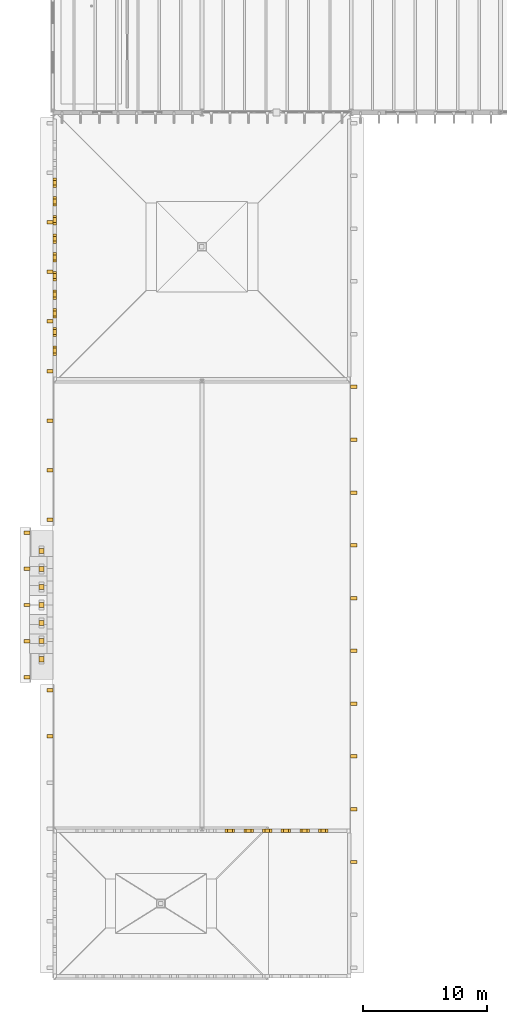
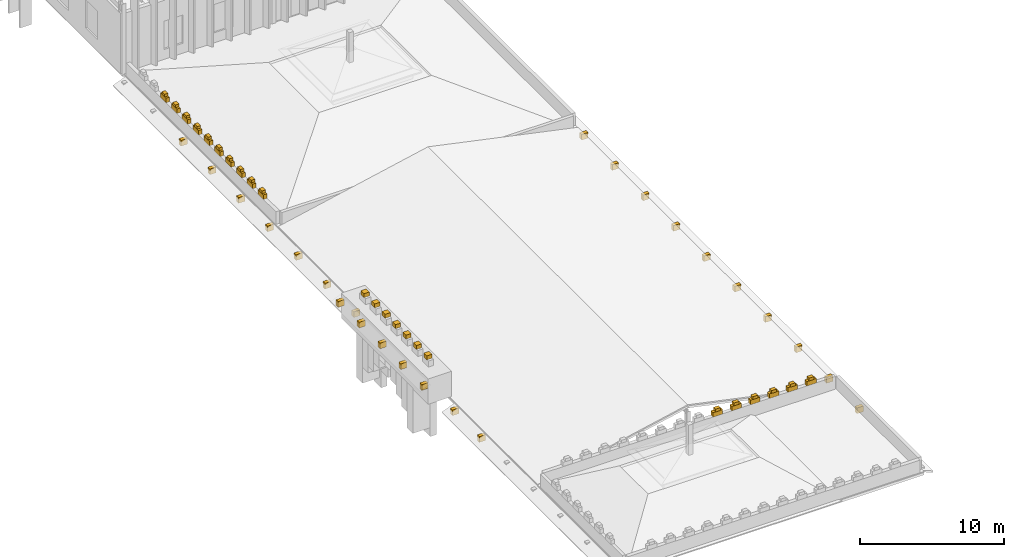
# One storey, part 80 of 83: 63 coverings.
"""IFC4 building model written with IfcOpenShell, lengths in metres."""

from ifc_helpers import new_model, si_unit, direction, frame, origin, place, context, subcontext, project, spatial, polyline, outline, extrude, material, layer, layer_set, type_object, element, save


model = new_model("IFC4")

# Units and contexts
model_context = context("Model", 3, precision=1e-05, world=origin(), true_north=direction((0.0, 1.0)))
body_context = subcontext(model_context, "Body", "Model", "MODEL_VIEW")
ifc_project = project(units=[si_unit("LENGTHUNIT", "METRE"), si_unit("AREAUNIT", "SQUARE_METRE"), si_unit("VOLUMEUNIT", "CUBIC_METRE"), si_unit("PLANEANGLEUNIT", "RADIAN"), si_unit("MASSUNIT", "GRAM", prefix="KILO")], contexts=[model_context])

# Site, building, storey
site_placement = place(None, origin())
site = spatial("IfcSite", under=ifc_project, at=site_placement, CompositionType="ELEMENT")
building_placement = place(site_placement, origin())
building = spatial("IfcBuilding", under=site, at=building_placement, Name="Zlatogorsky Bluff Art Gallery", CompositionType="ELEMENT")
storey_placement = place(building_placement, frame((0.0, 0.0, 10.800048828125)))
storey = spatial("IfcBuildingStorey", under=building, at=storey_placement, Name="L02", CompositionType="ELEMENT", Elevation=10.800048828125)

# Coverings
ifc_material = material(Name="Honed Red Agra-Tone Quartzitic Sandstone", Category="masonry")
ifc_layer = layer(ifc_material, 0.1201171875)
ifc_layer_set = layer_set([ifc_layer], Name="Carved Sandstone Cladding CLD-02")
covering_type = type_object("IfcCoveringType", Name="Carved Sandstone Cladding CLD-02", PredefinedType="CLADDING", material=ifc_layer_set)
covering_1_placement = place(storey_placement, frame((0.0, 0.0, 1.56005859375)))
element("IfcCovering", 1, at=covering_1_placement, inside=storey, type_object=covering_type, Name="Chhajja carved stone corbel PISHTAQ-SW-AUD-CHJ.1", PredefinedType="CLADDING", context=body_context, shape_type="SweptSolid", body=[
    extrude(outline(polyline([(-2.31005859375, 38.4599609375), (-2.31005859375, 38.739990234375), (-1.81005859375, 38.739990234375), (-1.81005859375, 38.4599609375), (-2.31005859375, 38.4599609375)])), origin(), (0.0, 0.0, 1.0), 0.47998046875),
])
covering_2_placement = place(storey_placement, frame((0.0, 0.0, 1.56005859375)))
element("IfcCovering", 2, at=covering_2_placement, inside=storey, type_object=covering_type, Name="Chhajja carved stone corbel PISHTAQ-SW-AUD-CHJ.2", PredefinedType="CLADDING", context=body_context, shape_type="SweptSolid", body=[
    extrude(outline(polyline([(-2.31005859375, 41.360107421875), (-2.31005859375, 41.639892578125), (-1.81005859375, 41.639892578125), (-1.81005859375, 41.360107421875), (-2.31005859375, 41.360107421875)])), origin(), (0.0, 0.0, 1.0), 0.47998046875),
])
covering_3_placement = place(storey_placement, frame((0.0, 0.0, 1.56005859375)))
element("IfcCovering", 3, at=covering_3_placement, inside=storey, type_object=covering_type, Name="Chhajja carved stone corbel PISHTAQ-SW-AUD-CHJ.3", PredefinedType="CLADDING", context=body_context, shape_type="SweptSolid", body=[
    extrude(outline(polyline([(-2.31005859375, 44.260009765625), (-2.31005859375, 44.5400390625), (-1.81005859375, 44.5400390625), (-1.81005859375, 44.260009765625), (-2.31005859375, 44.260009765625)])), origin(), (0.0, 0.0, 1.0), 0.47998046875),
])
covering_4_placement = place(storey_placement, frame((0.0, 0.0, 1.56005859375)))
element("IfcCovering", 4, at=covering_4_placement, inside=storey, type_object=covering_type, Name="Chhajja carved stone corbel PISHTAQ-SW-AUD-CHJ.4", PredefinedType="CLADDING", context=body_context, shape_type="SweptSolid", body=[
    extrude(outline(polyline([(-2.31005859375, 47.159912109375), (-2.31005859375, 47.43994140625), (-1.81005859375, 47.43994140625), (-1.81005859375, 47.159912109375), (-2.31005859375, 47.159912109375)])), origin(), (0.0, 0.0, 1.0), 0.47998046875),
])
covering_5_placement = place(storey_placement, frame((0.0, 0.0, 1.56005859375)))
element("IfcCovering", 5, at=covering_5_placement, inside=storey, type_object=covering_type, Name="Chhajja carved stone corbel PISHTAQ-SW-AUD-CHJ.5", PredefinedType="CLADDING", context=body_context, shape_type="SweptSolid", body=[
    extrude(outline(polyline([(-2.31005859375, 50.06005859375), (-2.31005859375, 50.340087890625), (-1.81005859375, 50.340087890625), (-1.81005859375, 50.06005859375), (-2.31005859375, 50.06005859375)])), origin(), (0.0, 0.0, 1.0), 0.47998046875),
])
covering_6_placement = place(storey_placement, frame((0.0, 0.0, 2.8837890625)))
element("IfcCovering", 6, at=covering_6_placement, inside=storey, type_object=covering_type, Name="Kangura pointed merlon finial PISHTAQ-SW-AUD.1", PredefinedType="CLADDING", context=body_context, shape_type="SweptSolid", body=[
    extrude(outline(polyline([(-1.114990234375, 39.8369140625), (-1.114990234375, 40.26318359375), (-0.695068359375, 40.26318359375), (-0.695068359375, 39.8369140625), (-1.114990234375, 39.8369140625)])), origin(), (0.0, 0.0, 1.0), 0.336181640625),
])
covering_7_placement = place(storey_placement, frame((0.0, 0.0, 2.8837890625)))
element("IfcCovering", 7, at=covering_7_placement, inside=storey, type_object=covering_type, Name="Kangura pointed merlon finial PISHTAQ-SW-AUD.2", PredefinedType="CLADDING", context=body_context, shape_type="SweptSolid", body=[
    extrude(outline(polyline([(-1.114990234375, 41.286865234375), (-1.114990234375, 41.713134765625), (-0.695068359375, 41.713134765625), (-0.695068359375, 41.286865234375), (-1.114990234375, 41.286865234375)])), origin(), (0.0, 0.0, 1.0), 0.336181640625),
])
covering_8_placement = place(storey_placement, frame((0.0, 0.0, 2.8837890625)))
element("IfcCovering", 8, at=covering_8_placement, inside=storey, type_object=covering_type, Name="Kangura pointed merlon finial PISHTAQ-SW-AUD.3", PredefinedType="CLADDING", context=body_context, shape_type="SweptSolid", body=[
    extrude(outline(polyline([(-1.114990234375, 42.73681640625), (-1.114990234375, 43.1630859375), (-0.695068359375, 43.1630859375), (-0.695068359375, 42.73681640625), (-1.114990234375, 42.73681640625)])), origin(), (0.0, 0.0, 1.0), 0.336181640625),
])
covering_9_placement = place(storey_placement, frame((0.0, 0.0, 2.8837890625)))
element("IfcCovering", 9, at=covering_9_placement, inside=storey, type_object=covering_type, Name="Kangura pointed merlon finial PISHTAQ-SW-AUD.4", PredefinedType="CLADDING", context=body_context, shape_type="SweptSolid", body=[
    extrude(outline(polyline([(-1.114990234375, 44.186767578125), (-1.114990234375, 44.61328125), (-0.695068359375, 44.61328125), (-0.695068359375, 44.186767578125), (-1.114990234375, 44.186767578125)])), origin(), (0.0, 0.0, 1.0), 0.336181640625),
])
covering_10_placement = place(storey_placement, frame((0.0, 0.0, 2.8837890625)))
element("IfcCovering", 10, at=covering_10_placement, inside=storey, type_object=covering_type, Name="Kangura pointed merlon finial PISHTAQ-SW-AUD.5", PredefinedType="CLADDING", context=body_context, shape_type="SweptSolid", body=[
    extrude(outline(polyline([(-1.114990234375, 45.63671875), (-1.114990234375, 46.063232421875), (-0.695068359375, 46.063232421875), (-0.695068359375, 45.63671875), (-1.114990234375, 45.63671875)])), origin(), (0.0, 0.0, 1.0), 0.336181640625),
])
covering_11_placement = place(storey_placement, frame((0.0, 0.0, 2.8837890625)))
element("IfcCovering", 11, at=covering_11_placement, inside=storey, type_object=covering_type, Name="Kangura pointed merlon finial PISHTAQ-SW-AUD.6", PredefinedType="CLADDING", context=body_context, shape_type="SweptSolid", body=[
    extrude(outline(polyline([(-1.114990234375, 47.0869140625), (-1.114990234375, 47.51318359375), (-0.695068359375, 47.51318359375), (-0.695068359375, 47.0869140625), (-1.114990234375, 47.0869140625)])), origin(), (0.0, 0.0, 1.0), 0.336181640625),
])
covering_12_placement = place(storey_placement, frame((0.0, 0.0, 2.8837890625)))
element("IfcCovering", 12, at=covering_12_placement, inside=storey, type_object=covering_type, Name="Kangura pointed merlon finial PISHTAQ-SW-AUD.7", PredefinedType="CLADDING", context=body_context, shape_type="SweptSolid", body=[
    extrude(outline(polyline([(-1.114990234375, 48.536865234375), (-1.114990234375, 48.963134765625), (-0.695068359375, 48.963134765625), (-0.695068359375, 48.536865234375), (-1.114990234375, 48.536865234375)])), origin(), (0.0, 0.0, 1.0), 0.336181640625),
])
covering_13_placement = place(storey_placement, frame((0.0, 0.0, -0.60009765625)))
element("IfcCovering", 13, at=covering_13_placement, inside=storey, type_object=covering_type, Name="Chhajja carved stone corbel CHJ-SW-E-L02.3", PredefinedType="CLADDING", context=body_context, shape_type="SweptSolid", body=[
    extrude(outline(polyline([(23.9599609375, 23.597412109375), (23.9599609375, 23.87744140625), (24.4599609375, 23.87744140625), (24.4599609375, 23.597412109375), (23.9599609375, 23.597412109375)])), origin(), (0.0, 0.0, 1.0), 0.47998046875),
])
covering_14_placement = place(storey_placement, frame((0.0, 0.0, -0.60009765625)))
element("IfcCovering", 14, at=covering_14_placement, inside=storey, type_object=covering_type, Name="Chhajja carved stone corbel CHJ-SW-E-L02.4", PredefinedType="CLADDING", context=body_context, shape_type="SweptSolid", body=[
    extrude(outline(polyline([(23.9599609375, 27.84130859375), (23.9599609375, 28.12109375), (24.4599609375, 28.12109375), (24.4599609375, 27.84130859375), (23.9599609375, 27.84130859375)])), origin(), (0.0, 0.0, 1.0), 0.47998046875),
])
covering_15_placement = place(storey_placement, frame((0.0, 0.0, -0.60009765625)))
element("IfcCovering", 15, at=covering_15_placement, inside=storey, type_object=covering_type, Name="Chhajja carved stone corbel CHJ-SW-E-L02.5", PredefinedType="CLADDING", context=body_context, shape_type="SweptSolid", body=[
    extrude(outline(polyline([(23.9599609375, 32.0849609375), (23.9599609375, 32.364990234375), (24.4599609375, 32.364990234375), (24.4599609375, 32.0849609375), (23.9599609375, 32.0849609375)])), origin(), (0.0, 0.0, 1.0), 0.47998046875),
])
covering_16_placement = place(storey_placement, frame((0.0, 0.0, -0.60009765625)))
element("IfcCovering", 16, at=covering_16_placement, inside=storey, type_object=covering_type, Name="Chhajja carved stone corbel CHJ-SW-E-L02.6", PredefinedType="CLADDING", context=body_context, shape_type="SweptSolid", body=[
    extrude(outline(polyline([(23.9599609375, 36.32861328125), (23.9599609375, 36.60888671875), (24.4599609375, 36.60888671875), (24.4599609375, 36.32861328125), (23.9599609375, 36.32861328125)])), origin(), (0.0, 0.0, 1.0), 0.47998046875),
])
covering_17_placement = place(storey_placement, frame((0.0, 0.0, -0.60009765625)))
element("IfcCovering", 17, at=covering_17_placement, inside=storey, type_object=covering_type, Name="Chhajja carved stone corbel CHJ-SW-E-L02.7", PredefinedType="CLADDING", context=body_context, shape_type="SweptSolid", body=[
    extrude(outline(polyline([(23.9599609375, 40.572509765625), (23.9599609375, 40.8525390625), (24.4599609375, 40.8525390625), (24.4599609375, 40.572509765625), (23.9599609375, 40.572509765625)])), origin(), (0.0, 0.0, 1.0), 0.47998046875),
])
covering_18_placement = place(storey_placement, frame((0.0, 0.0, -0.60009765625)))
element("IfcCovering", 18, at=covering_18_placement, inside=storey, type_object=covering_type, Name="Chhajja carved stone corbel CHJ-SW-E-L02.8", PredefinedType="CLADDING", context=body_context, shape_type="SweptSolid", body=[
    extrude(outline(polyline([(23.9599609375, 44.816162109375), (23.9599609375, 45.09619140625), (24.4599609375, 45.09619140625), (24.4599609375, 44.816162109375), (23.9599609375, 44.816162109375)])), origin(), (0.0, 0.0, 1.0), 0.47998046875),
])
covering_19_placement = place(storey_placement, frame((0.0, 0.0, -0.60009765625)))
element("IfcCovering", 19, at=covering_19_placement, inside=storey, type_object=covering_type, Name="Chhajja carved stone corbel CHJ-SW-E-L02.9", PredefinedType="CLADDING", context=body_context, shape_type="SweptSolid", body=[
    extrude(outline(polyline([(23.9599609375, 49.06005859375), (23.9599609375, 49.340087890625), (24.4599609375, 49.340087890625), (24.4599609375, 49.06005859375), (23.9599609375, 49.06005859375)])), origin(), (0.0, 0.0, 1.0), 0.47998046875),
])
covering_20_placement = place(storey_placement, frame((0.0, 0.0, -0.60009765625)))
element("IfcCovering", 20, at=covering_20_placement, inside=storey, type_object=covering_type, Name="Chhajja carved stone corbel CHJ-SW-E-L02.10", PredefinedType="CLADDING", context=body_context, shape_type="SweptSolid", body=[
    extrude(outline(polyline([(23.9599609375, 53.3037109375), (23.9599609375, 53.583740234375), (24.4599609375, 53.583740234375), (24.4599609375, 53.3037109375), (23.9599609375, 53.3037109375)])), origin(), (0.0, 0.0, 1.0), 0.47998046875),
])
covering_21_placement = place(storey_placement, frame((0.0, 0.0, -0.60009765625)))
element("IfcCovering", 21, at=covering_21_placement, inside=storey, type_object=covering_type, Name="Chhajja carved stone corbel CHJ-SW-E-L02.11", PredefinedType="CLADDING", context=body_context, shape_type="SweptSolid", body=[
    extrude(outline(polyline([(23.9599609375, 57.547607421875), (23.9599609375, 57.827392578125), (24.4599609375, 57.827392578125), (24.4599609375, 57.547607421875), (23.9599609375, 57.547607421875)])), origin(), (0.0, 0.0, 1.0), 0.47998046875),
])
covering_22_placement = place(storey_placement, frame((0.0, 0.0, -0.60009765625)))
element("IfcCovering", 22, at=covering_22_placement, inside=storey, type_object=covering_type, Name="Chhajja carved stone corbel CHJ-SW-E-L02.12", PredefinedType="CLADDING", context=body_context, shape_type="SweptSolid", body=[
    extrude(outline(polyline([(23.9599609375, 61.791259765625), (23.9599609375, 62.0712890625), (24.4599609375, 62.0712890625), (24.4599609375, 61.791259765625), (23.9599609375, 61.791259765625)])), origin(), (0.0, 0.0, 1.0), 0.47998046875),
])
covering_23_placement = place(storey_placement, frame((0.0, 0.0, -0.60009765625)))
element("IfcCovering", 23, at=covering_23_placement, inside=storey, type_object=covering_type, Name="Chhajja carved stone corbel CHJ-SW-W-L02A.6", PredefinedType="CLADDING", context=body_context, shape_type="SweptSolid", body=[
    extrude(outline(polyline([(-0.4599609375, 33.693359375), (-0.4599609375, 33.973388671875), (0.0400390625, 33.973388671875), (0.0400390625, 33.693359375), (-0.4599609375, 33.693359375)])), origin(), (0.0, 0.0, 1.0), 0.47998046875),
])
covering_24_placement = place(storey_placement, frame((0.0, 0.0, -0.60009765625)))
element("IfcCovering", 24, at=covering_24_placement, inside=storey, type_object=covering_type, Name="Chhajja carved stone corbel CHJ-SW-W-L02A.7", PredefinedType="CLADDING", context=body_context, shape_type="SweptSolid", body=[
    extrude(outline(polyline([(-0.4599609375, 37.409912109375), (-0.4599609375, 37.68994140625), (0.0400390625, 37.68994140625), (0.0400390625, 37.409912109375), (-0.4599609375, 37.409912109375)])), origin(), (0.0, 0.0, 1.0), 0.47998046875),
])
covering_25_placement = place(storey_placement, frame((0.0, 0.0, -0.60009765625)))
element("IfcCovering", 25, at=covering_25_placement, inside=storey, type_object=covering_type, Name="Chhajja carved stone corbel CHJ-SW-W-L02B.1", PredefinedType="CLADDING", context=body_context, shape_type="SweptSolid", body=[
    extrude(outline(polyline([(-0.4599609375, 51.110107421875), (-0.4599609375, 51.389892578125), (0.0400390625, 51.389892578125), (0.0400390625, 51.110107421875), (-0.4599609375, 51.110107421875)])), origin(), (0.0, 0.0, 1.0), 0.47998046875),
])
covering_26_placement = place(storey_placement, frame((0.0, 0.0, -0.60009765625)))
element("IfcCovering", 26, at=covering_26_placement, inside=storey, type_object=covering_type, Name="Chhajja carved stone corbel CHJ-SW-W-L02B.2", PredefinedType="CLADDING", context=body_context, shape_type="SweptSolid", body=[
    extrude(outline(polyline([(-0.4599609375, 55.097412109375), (-0.4599609375, 55.37744140625), (0.0400390625, 55.37744140625), (0.0400390625, 55.097412109375), (-0.4599609375, 55.097412109375)])), origin(), (0.0, 0.0, 1.0), 0.47998046875),
])
covering_27_placement = place(storey_placement, frame((0.0, 0.0, -0.60009765625)))
element("IfcCovering", 27, at=covering_27_placement, inside=storey, type_object=covering_type, Name="Chhajja carved stone corbel CHJ-SW-W-L02B.3", PredefinedType="CLADDING", context=body_context, shape_type="SweptSolid", body=[
    extrude(outline(polyline([(-0.4599609375, 59.0849609375), (-0.4599609375, 59.364990234375), (0.0400390625, 59.364990234375), (0.0400390625, 59.0849609375), (-0.4599609375, 59.0849609375)])), origin(), (0.0, 0.0, 1.0), 0.47998046875),
])
covering_28_placement = place(storey_placement, frame((0.0, 0.0, -0.60009765625)))
element("IfcCovering", 28, at=covering_28_placement, inside=storey, type_object=covering_type, Name="Chhajja carved stone corbel CHJ-SW-W-L02B.4", PredefinedType="CLADDING", context=body_context, shape_type="SweptSolid", body=[
    extrude(outline(polyline([(-0.4599609375, 63.072509765625), (-0.4599609375, 63.3525390625), (0.0400390625, 63.3525390625), (0.0400390625, 63.072509765625), (-0.4599609375, 63.072509765625)])), origin(), (0.0, 0.0, 1.0), 0.47998046875),
])
covering_29_placement = place(storey_placement, frame((0.0, 0.0, -0.60009765625)))
element("IfcCovering", 29, at=covering_29_placement, inside=storey, type_object=covering_type, Name="Chhajja carved stone corbel CHJ-SW-W-L02B.5", PredefinedType="CLADDING", context=body_context, shape_type="SweptSolid", body=[
    extrude(outline(polyline([(-0.4599609375, 67.06005859375), (-0.4599609375, 67.340087890625), (0.0400390625, 67.340087890625), (0.0400390625, 67.06005859375), (-0.4599609375, 67.06005859375)])), origin(), (0.0, 0.0, 1.0), 0.47998046875),
])
covering_30_placement = place(storey_placement, frame((0.0, 0.0, -0.60009765625)))
element("IfcCovering", 30, at=covering_30_placement, inside=storey, type_object=covering_type, Name="Chhajja carved stone corbel CHJ-SW-W-L02B.6", PredefinedType="CLADDING", context=body_context, shape_type="SweptSolid", body=[
    extrude(outline(polyline([(-0.4599609375, 71.047607421875), (-0.4599609375, 71.327392578125), (0.0400390625, 71.327392578125), (0.0400390625, 71.047607421875), (-0.4599609375, 71.047607421875)])), origin(), (0.0, 0.0, 1.0), 0.47998046875),
])
covering_31_placement = place(storey_placement, frame((0.0, 0.0, -0.60009765625)))
element("IfcCovering", 31, at=covering_31_placement, inside=storey, type_object=covering_type, Name="Chhajja carved stone corbel CHJ-SW-W-L02B.7", PredefinedType="CLADDING", context=body_context, shape_type="SweptSolid", body=[
    extrude(outline(polyline([(-0.4599609375, 75.034912109375), (-0.4599609375, 75.31494140625), (0.0400390625, 75.31494140625), (0.0400390625, 75.034912109375), (-0.4599609375, 75.034912109375)])), origin(), (0.0, 0.0, 1.0), 0.47998046875),
])
covering_32_placement = place(storey_placement, frame((0.0, 0.0, 1.119873046875)))
element("IfcCovering", 32, at=covering_32_placement, inside=storey, type_object=covering_type, Name="Kangura stepped merlon base PAR-RF-L02-01-4.9", PredefinedType="CLADDING", context=body_context, shape_type="SweptSolid", body=[
    extrude(outline(polyline([(13.8701171875, 26.10009765625), (14.6298828125, 26.10009765625), (14.6298828125, 26.3798828125), (13.8701171875, 26.3798828125), (13.8701171875, 26.10009765625)])), origin(), (0.0, 0.0, 1.0), 0.3896484375),
])
covering_33_placement = place(storey_placement, frame((0.0, 0.0, 1.4921875)))
element("IfcCovering", 33, at=covering_33_placement, inside=storey, type_object=covering_type, Name="Kangura pointed merlon finial PAR-RF-L02-01-4.9", PredefinedType="CLADDING", context=body_context, shape_type="SweptSolid", body=[
    extrude(outline(polyline([(14.052490234375, 26.10009765625), (14.447509765625, 26.10009765625), (14.447509765625, 26.3798828125), (14.052490234375, 26.3798828125), (14.052490234375, 26.10009765625)])), origin(), (0.0, 0.0, 1.0), 0.23779296875),
])
covering_34_placement = place(storey_placement, frame((0.0, 0.0, 1.119873046875)))
element("IfcCovering", 34, at=covering_34_placement, inside=storey, type_object=covering_type, Name="Kangura stepped merlon base PAR-RF-L02-01-4.10", PredefinedType="CLADDING", context=body_context, shape_type="SweptSolid", body=[
    extrude(outline(polyline([(15.3701171875, 26.10009765625), (16.1298828125, 26.10009765625), (16.1298828125, 26.3798828125), (15.3701171875, 26.3798828125), (15.3701171875, 26.10009765625)])), origin(), (0.0, 0.0, 1.0), 0.3896484375),
])
covering_35_placement = place(storey_placement, frame((0.0, 0.0, 1.4921875)))
element("IfcCovering", 35, at=covering_35_placement, inside=storey, type_object=covering_type, Name="Kangura pointed merlon finial PAR-RF-L02-01-4.10", PredefinedType="CLADDING", context=body_context, shape_type="SweptSolid", body=[
    extrude(outline(polyline([(15.552490234375, 26.10009765625), (15.947509765625, 26.10009765625), (15.947509765625, 26.3798828125), (15.552490234375, 26.3798828125), (15.552490234375, 26.10009765625)])), origin(), (0.0, 0.0, 1.0), 0.23779296875),
])
covering_36_placement = place(storey_placement, frame((0.0, 0.0, 1.119873046875)))
element("IfcCovering", 36, at=covering_36_placement, inside=storey, type_object=covering_type, Name="Kangura stepped merlon base PAR-RF-L02-01-4.11", PredefinedType="CLADDING", context=body_context, shape_type="SweptSolid", body=[
    extrude(outline(polyline([(16.8701171875, 26.10009765625), (17.6298828125, 26.10009765625), (17.6298828125, 26.3798828125), (16.8701171875, 26.3798828125), (16.8701171875, 26.10009765625)])), origin(), (0.0, 0.0, 1.0), 0.3896484375),
])
covering_37_placement = place(storey_placement, frame((0.0, 0.0, 1.4921875)))
element("IfcCovering", 37, at=covering_37_placement, inside=storey, type_object=covering_type, Name="Kangura pointed merlon finial PAR-RF-L02-01-4.11", PredefinedType="CLADDING", context=body_context, shape_type="SweptSolid", body=[
    extrude(outline(polyline([(17.052490234375, 26.10009765625), (17.447509765625, 26.10009765625), (17.447509765625, 26.3798828125), (17.052490234375, 26.3798828125), (17.052490234375, 26.10009765625)])), origin(), (0.0, 0.0, 1.0), 0.23779296875),
])
covering_38_placement = place(storey_placement, frame((0.0, 0.0, 1.119873046875)))
element("IfcCovering", 38, at=covering_38_placement, inside=storey, type_object=covering_type, Name="Kangura stepped merlon base PAR-RF-L02-01-4.12", PredefinedType="CLADDING", context=body_context, shape_type="SweptSolid", body=[
    extrude(outline(polyline([(18.3701171875, 26.10009765625), (19.1298828125, 26.10009765625), (19.1298828125, 26.3798828125), (18.3701171875, 26.3798828125), (18.3701171875, 26.10009765625)])), origin(), (0.0, 0.0, 1.0), 0.3896484375),
])
covering_39_placement = place(storey_placement, frame((0.0, 0.0, 1.4921875)))
element("IfcCovering", 39, at=covering_39_placement, inside=storey, type_object=covering_type, Name="Kangura pointed merlon finial PAR-RF-L02-01-4.12", PredefinedType="CLADDING", context=body_context, shape_type="SweptSolid", body=[
    extrude(outline(polyline([(18.552490234375, 26.10009765625), (18.947509765625, 26.10009765625), (18.947509765625, 26.3798828125), (18.552490234375, 26.3798828125), (18.552490234375, 26.10009765625)])), origin(), (0.0, 0.0, 1.0), 0.23779296875),
])
covering_40_placement = place(storey_placement, frame((0.0, 0.0, 1.119873046875)))
element("IfcCovering", 40, at=covering_40_placement, inside=storey, type_object=covering_type, Name="Kangura stepped merlon base PAR-RF-L02-01-4.13", PredefinedType="CLADDING", context=body_context, shape_type="SweptSolid", body=[
    extrude(outline(polyline([(19.8701171875, 26.10009765625), (20.6298828125, 26.10009765625), (20.6298828125, 26.3798828125), (19.8701171875, 26.3798828125), (19.8701171875, 26.10009765625)])), origin(), (0.0, 0.0, 1.0), 0.3896484375),
])
covering_41_placement = place(storey_placement, frame((0.0, 0.0, 1.4921875)))
element("IfcCovering", 41, at=covering_41_placement, inside=storey, type_object=covering_type, Name="Kangura pointed merlon finial PAR-RF-L02-01-4.13", PredefinedType="CLADDING", context=body_context, shape_type="SweptSolid", body=[
    extrude(outline(polyline([(20.052490234375, 26.10009765625), (20.447509765625, 26.10009765625), (20.447509765625, 26.3798828125), (20.052490234375, 26.3798828125), (20.052490234375, 26.10009765625)])), origin(), (0.0, 0.0, 1.0), 0.23779296875),
])
covering_42_placement = place(storey_placement, frame((0.0, 0.0, 1.119873046875)))
element("IfcCovering", 42, at=covering_42_placement, inside=storey, type_object=covering_type, Name="Kangura stepped merlon base PAR-RF-L02-01-4.14", PredefinedType="CLADDING", context=body_context, shape_type="SweptSolid", body=[
    extrude(outline(polyline([(21.3701171875, 26.10009765625), (22.1298828125, 26.10009765625), (22.1298828125, 26.3798828125), (21.3701171875, 26.3798828125), (21.3701171875, 26.10009765625)])), origin(), (0.0, 0.0, 1.0), 0.3896484375),
])
covering_43_placement = place(storey_placement, frame((0.0, 0.0, 1.4921875)))
element("IfcCovering", 43, at=covering_43_placement, inside=storey, type_object=covering_type, Name="Kangura pointed merlon finial PAR-RF-L02-01-4.14", PredefinedType="CLADDING", context=body_context, shape_type="SweptSolid", body=[
    extrude(outline(polyline([(21.552490234375, 26.10009765625), (21.947509765625, 26.10009765625), (21.947509765625, 26.3798828125), (21.552490234375, 26.3798828125), (21.552490234375, 26.10009765625)])), origin(), (0.0, 0.0, 1.0), 0.23779296875),
])
covering_44_placement = place(storey_placement, frame((0.0, 0.0, 1.119873046875)))
element("IfcCovering", 44, at=covering_44_placement, inside=storey, type_object=covering_type, Name="Kangura stepped merlon base PAR-RF-L02-03-4.1", PredefinedType="CLADDING", context=body_context, shape_type="SweptSolid", body=[
    extrude(outline(polyline([(0.02001953125, 64.469970703125), (0.02001953125, 65.22998046875), (0.300048828125, 65.22998046875), (0.300048828125, 64.469970703125), (0.02001953125, 64.469970703125)])), origin(), (0.0, 0.0, 1.0), 0.3896484375),
])
covering_45_placement = place(storey_placement, frame((0.0, 0.0, 1.4921875)))
element("IfcCovering", 45, at=covering_45_placement, inside=storey, type_object=covering_type, Name="Kangura pointed merlon finial PAR-RF-L02-03-4.1", PredefinedType="CLADDING", context=body_context, shape_type="SweptSolid", body=[
    extrude(outline(polyline([(0.02001953125, 64.65234375), (0.02001953125, 65.047607421875), (0.300048828125, 65.047607421875), (0.300048828125, 64.65234375), (0.02001953125, 64.65234375)])), origin(), (0.0, 0.0, 1.0), 0.23779296875),
])
covering_46_placement = place(storey_placement, frame((0.0, 0.0, 1.119873046875)))
element("IfcCovering", 46, at=covering_46_placement, inside=storey, type_object=covering_type, Name="Kangura stepped merlon base PAR-RF-L02-03-4.2", PredefinedType="CLADDING", context=body_context, shape_type="SweptSolid", body=[
    extrude(outline(polyline([(0.02001953125, 65.969970703125), (0.02001953125, 66.72998046875), (0.300048828125, 66.72998046875), (0.300048828125, 65.969970703125), (0.02001953125, 65.969970703125)])), origin(), (0.0, 0.0, 1.0), 0.3896484375),
])
covering_47_placement = place(storey_placement, frame((0.0, 0.0, 1.4921875)))
element("IfcCovering", 47, at=covering_47_placement, inside=storey, type_object=covering_type, Name="Kangura pointed merlon finial PAR-RF-L02-03-4.2", PredefinedType="CLADDING", context=body_context, shape_type="SweptSolid", body=[
    extrude(outline(polyline([(0.02001953125, 66.15234375), (0.02001953125, 66.547607421875), (0.300048828125, 66.547607421875), (0.300048828125, 66.15234375), (0.02001953125, 66.15234375)])), origin(), (0.0, 0.0, 1.0), 0.23779296875),
])
covering_48_placement = place(storey_placement, frame((0.0, 0.0, 1.119873046875)))
element("IfcCovering", 48, at=covering_48_placement, inside=storey, type_object=covering_type, Name="Kangura stepped merlon base PAR-RF-L02-03-4.3", PredefinedType="CLADDING", context=body_context, shape_type="SweptSolid", body=[
    extrude(outline(polyline([(0.02001953125, 67.469970703125), (0.02001953125, 68.22998046875), (0.300048828125, 68.22998046875), (0.300048828125, 67.469970703125), (0.02001953125, 67.469970703125)])), origin(), (0.0, 0.0, 1.0), 0.3896484375),
])
covering_49_placement = place(storey_placement, frame((0.0, 0.0, 1.4921875)))
element("IfcCovering", 49, at=covering_49_placement, inside=storey, type_object=covering_type, Name="Kangura pointed merlon finial PAR-RF-L02-03-4.3", PredefinedType="CLADDING", context=body_context, shape_type="SweptSolid", body=[
    extrude(outline(polyline([(0.02001953125, 67.65234375), (0.02001953125, 68.047607421875), (0.300048828125, 68.047607421875), (0.300048828125, 67.65234375), (0.02001953125, 67.65234375)])), origin(), (0.0, 0.0, 1.0), 0.23779296875),
])
covering_50_placement = place(storey_placement, frame((0.0, 0.0, 1.119873046875)))
element("IfcCovering", 50, at=covering_50_placement, inside=storey, type_object=covering_type, Name="Kangura stepped merlon base PAR-RF-L02-03-4.4", PredefinedType="CLADDING", context=body_context, shape_type="SweptSolid", body=[
    extrude(outline(polyline([(0.02001953125, 68.969970703125), (0.02001953125, 69.72998046875), (0.300048828125, 69.72998046875), (0.300048828125, 68.969970703125), (0.02001953125, 68.969970703125)])), origin(), (0.0, 0.0, 1.0), 0.3896484375),
])
covering_51_placement = place(storey_placement, frame((0.0, 0.0, 1.4921875)))
element("IfcCovering", 51, at=covering_51_placement, inside=storey, type_object=covering_type, Name="Kangura pointed merlon finial PAR-RF-L02-03-4.4", PredefinedType="CLADDING", context=body_context, shape_type="SweptSolid", body=[
    extrude(outline(polyline([(0.02001953125, 69.15234375), (0.02001953125, 69.547607421875), (0.300048828125, 69.547607421875), (0.300048828125, 69.15234375), (0.02001953125, 69.15234375)])), origin(), (0.0, 0.0, 1.0), 0.23779296875),
])
covering_52_placement = place(storey_placement, frame((0.0, 0.0, 1.119873046875)))
element("IfcCovering", 52, at=covering_52_placement, inside=storey, type_object=covering_type, Name="Kangura stepped merlon base PAR-RF-L02-03-4.5", PredefinedType="CLADDING", context=body_context, shape_type="SweptSolid", body=[
    extrude(outline(polyline([(0.02001953125, 70.469970703125), (0.02001953125, 71.22998046875), (0.300048828125, 71.22998046875), (0.300048828125, 70.469970703125), (0.02001953125, 70.469970703125)])), origin(), (0.0, 0.0, 1.0), 0.3896484375),
])
covering_53_placement = place(storey_placement, frame((0.0, 0.0, 1.4921875)))
element("IfcCovering", 53, at=covering_53_placement, inside=storey, type_object=covering_type, Name="Kangura pointed merlon finial PAR-RF-L02-03-4.5", PredefinedType="CLADDING", context=body_context, shape_type="SweptSolid", body=[
    extrude(outline(polyline([(0.02001953125, 70.65234375), (0.02001953125, 71.047607421875), (0.300048828125, 71.047607421875), (0.300048828125, 70.65234375), (0.02001953125, 70.65234375)])), origin(), (0.0, 0.0, 1.0), 0.23779296875),
])
covering_54_placement = place(storey_placement, frame((0.0, 0.0, 1.119873046875)))
element("IfcCovering", 54, at=covering_54_placement, inside=storey, type_object=covering_type, Name="Kangura stepped merlon base PAR-RF-L02-03-4.6", PredefinedType="CLADDING", context=body_context, shape_type="SweptSolid", body=[
    extrude(outline(polyline([(0.02001953125, 71.969970703125), (0.02001953125, 72.72998046875), (0.300048828125, 72.72998046875), (0.300048828125, 71.969970703125), (0.02001953125, 71.969970703125)])), origin(), (0.0, 0.0, 1.0), 0.3896484375),
])
covering_55_placement = place(storey_placement, frame((0.0, 0.0, 1.4921875)))
element("IfcCovering", 55, at=covering_55_placement, inside=storey, type_object=covering_type, Name="Kangura pointed merlon finial PAR-RF-L02-03-4.6", PredefinedType="CLADDING", context=body_context, shape_type="SweptSolid", body=[
    extrude(outline(polyline([(0.02001953125, 72.15234375), (0.02001953125, 72.547607421875), (0.300048828125, 72.547607421875), (0.300048828125, 72.15234375), (0.02001953125, 72.15234375)])), origin(), (0.0, 0.0, 1.0), 0.23779296875),
])
covering_56_placement = place(storey_placement, frame((0.0, 0.0, 1.119873046875)))
element("IfcCovering", 56, at=covering_56_placement, inside=storey, type_object=covering_type, Name="Kangura stepped merlon base PAR-RF-L02-03-4.7", PredefinedType="CLADDING", context=body_context, shape_type="SweptSolid", body=[
    extrude(outline(polyline([(0.02001953125, 73.469970703125), (0.02001953125, 74.22998046875), (0.300048828125, 74.22998046875), (0.300048828125, 73.469970703125), (0.02001953125, 73.469970703125)])), origin(), (0.0, 0.0, 1.0), 0.3896484375),
])
covering_57_placement = place(storey_placement, frame((0.0, 0.0, 1.4921875)))
element("IfcCovering", 57, at=covering_57_placement, inside=storey, type_object=covering_type, Name="Kangura pointed merlon finial PAR-RF-L02-03-4.7", PredefinedType="CLADDING", context=body_context, shape_type="SweptSolid", body=[
    extrude(outline(polyline([(0.02001953125, 73.65234375), (0.02001953125, 74.047607421875), (0.300048828125, 74.047607421875), (0.300048828125, 73.65234375), (0.02001953125, 73.65234375)])), origin(), (0.0, 0.0, 1.0), 0.23779296875),
])
covering_58_placement = place(storey_placement, frame((0.0, 0.0, 1.119873046875)))
element("IfcCovering", 58, at=covering_58_placement, inside=storey, type_object=covering_type, Name="Kangura stepped merlon base PAR-RF-L02-03-4.8", PredefinedType="CLADDING", context=body_context, shape_type="SweptSolid", body=[
    extrude(outline(polyline([(0.02001953125, 74.969970703125), (0.02001953125, 75.72998046875), (0.300048828125, 75.72998046875), (0.300048828125, 74.969970703125), (0.02001953125, 74.969970703125)])), origin(), (0.0, 0.0, 1.0), 0.3896484375),
])
covering_59_placement = place(storey_placement, frame((0.0, 0.0, 1.4921875)))
element("IfcCovering", 59, at=covering_59_placement, inside=storey, type_object=covering_type, Name="Kangura pointed merlon finial PAR-RF-L02-03-4.8", PredefinedType="CLADDING", context=body_context, shape_type="SweptSolid", body=[
    extrude(outline(polyline([(0.02001953125, 75.15234375), (0.02001953125, 75.547607421875), (0.300048828125, 75.547607421875), (0.300048828125, 75.15234375), (0.02001953125, 75.15234375)])), origin(), (0.0, 0.0, 1.0), 0.23779296875),
])
covering_60_placement = place(storey_placement, frame((0.0, 0.0, 1.119873046875)))
element("IfcCovering", 60, at=covering_60_placement, inside=storey, type_object=covering_type, Name="Kangura stepped merlon base PAR-RF-L02-03-4.9", PredefinedType="CLADDING", context=body_context, shape_type="SweptSolid", body=[
    extrude(outline(polyline([(0.02001953125, 76.469970703125), (0.02001953125, 77.22998046875), (0.300048828125, 77.22998046875), (0.300048828125, 76.469970703125), (0.02001953125, 76.469970703125)])), origin(), (0.0, 0.0, 1.0), 0.3896484375),
])
covering_61_placement = place(storey_placement, frame((0.0, 0.0, 1.4921875)))
element("IfcCovering", 61, at=covering_61_placement, inside=storey, type_object=covering_type, Name="Kangura pointed merlon finial PAR-RF-L02-03-4.9", PredefinedType="CLADDING", context=body_context, shape_type="SweptSolid", body=[
    extrude(outline(polyline([(0.02001953125, 76.65234375), (0.02001953125, 77.047607421875), (0.300048828125, 77.047607421875), (0.300048828125, 76.65234375), (0.02001953125, 76.65234375)])), origin(), (0.0, 0.0, 1.0), 0.23779296875),
])
covering_62_placement = place(storey_placement, frame((0.0, 0.0, 1.119873046875)))
element("IfcCovering", 62, at=covering_62_placement, inside=storey, type_object=covering_type, Name="Kangura stepped merlon base PAR-RF-L02-03-4.10", PredefinedType="CLADDING", context=body_context, shape_type="SweptSolid", body=[
    extrude(outline(polyline([(0.02001953125, 77.969970703125), (0.02001953125, 78.72998046875), (0.300048828125, 78.72998046875), (0.300048828125, 77.969970703125), (0.02001953125, 77.969970703125)])), origin(), (0.0, 0.0, 1.0), 0.3896484375),
])
covering_63_placement = place(storey_placement, frame((0.0, 0.0, 1.4921875)))
element("IfcCovering", 63, at=covering_63_placement, inside=storey, type_object=covering_type, Name="Kangura pointed merlon finial PAR-RF-L02-03-4.10", PredefinedType="CLADDING", context=body_context, shape_type="SweptSolid", body=[
    extrude(outline(polyline([(0.02001953125, 78.15234375), (0.02001953125, 78.547607421875), (0.300048828125, 78.547607421875), (0.300048828125, 78.15234375), (0.02001953125, 78.15234375)])), origin(), (0.0, 0.0, 1.0), 0.23779296875),
])

save(model, "model.ifc")
